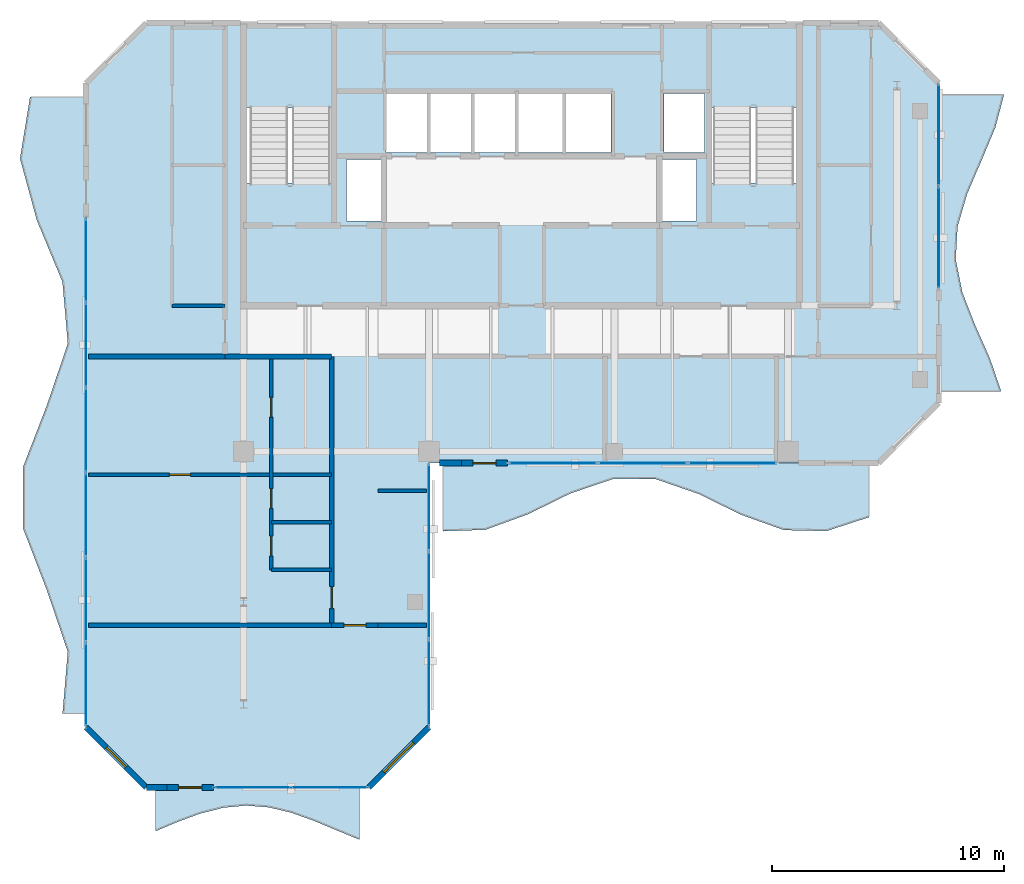
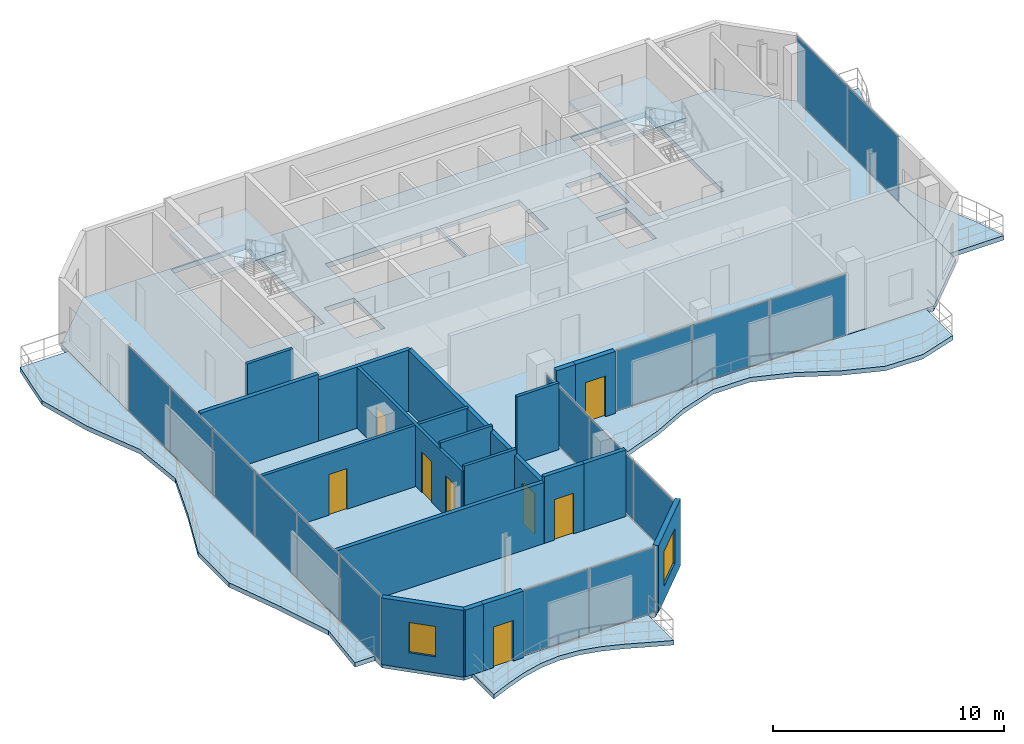
# One storey, part 12 of 17: 18 walls, 16 plates, 8 doors, 7 slabs, 2 windows, 10 openings, 7 elements without a shape of their own.
"""IFC4 building model written with IfcOpenShell, lengths in metres."""

import ifcopenshell
import ifcopenshell.guid

model = None  # the IFC model being written
_history = None  # IfcOwnerHistory: only IFC2X3 demands one
_inside = {}  # id of a spatial element -> (the spatial element, [elements in it])
_under = {}  # id of a project, library or spatial element -> (it, [spatial elements below it])
_declared = {}  # id of a project -> (the project, [libraries it declares])
_typed = {}  # id of a type object -> (the type object, [elements of that type])
_made_of = {}  # id of a material, layer set ... -> (it, [elements and type objects made of it])


def new_model(schema):
    """Start an empty IFC model of exactly this schema.

    Asked for "IFC4X3", IfcOpenShell would pick the latest addendum, in which some entities
    have other attributes; the version numbers below select the first issue.
    IFC2X3 requires an IfcOwnerHistory on every rooted entity: one is made here for all.
    """
    global model, _history
    if schema == "IFC4X3":
        model = ifcopenshell.file(schema_version=(4, 3, 0, 0))
    else:
        model = ifcopenshell.file(schema=schema)
    _inside.clear()
    _under.clear()
    _declared.clear()
    _typed.clear()
    _made_of.clear()
    _history = None
    if model.schema == "IFC2X3":
        org = make("IfcOrganization", Name="unknown")
        user = make(
            "IfcPersonAndOrganization",
            ThePerson=make("IfcPerson", FamilyName="unknown"),
            TheOrganization=org,
        )
        app = make(
            "IfcApplication",
            ApplicationDeveloper=org,
            Version="unknown",
            ApplicationFullName="unknown",
            ApplicationIdentifier="unknown",
        )
        _history = make(
            "IfcOwnerHistory",
            OwningUser=user,
            OwningApplication=app,
            ChangeAction="ADDED",
            CreationDate=0,
        )
    return model


def make(cls, **values):
    """One entity of the class cls with the attributes given. An attribute that is None is left unset."""
    return model.create_entity(
        cls, **{name: value for name, value in values.items() if value is not None}
    )


def rooted(cls, **values):
    """An entity with a GlobalId (a new one), such as an element, a storey or a relation."""
    return make(cls, GlobalId=ifcopenshell.guid.new(), OwnerHistory=_history, **values)


def si_unit(unit_type, name, prefix=None):
    """IfcSIUnit, for example si_unit("LENGTHUNIT", "METRE", prefix="MILLI")."""
    return make("IfcSIUnit", UnitType=unit_type, Prefix=prefix, Name=name)


def assignment(units):
    """IfcUnitAssignment: the units of a project."""
    return None if units is None else make("IfcUnitAssignment", Units=units)


def point(xyz):
    """IfcCartesianPoint."""
    return None if xyz is None else make("IfcCartesianPoint", Coordinates=xyz)


def direction(xyz):
    """IfcDirection."""
    return None if xyz is None else make("IfcDirection", DirectionRatios=xyz)


def frame(location, z_axis=None, x_axis=None):
    """IfcAxis2Placement3D, a coordinate frame: its origin and axes. An axis left out is left unset."""
    return make(
        "IfcAxis2Placement3D",
        Location=point(location),
        Axis=direction(z_axis),
        RefDirection=direction(x_axis),
    )


def frame_2d(location, x_axis=None):
    """IfcAxis2Placement2D, a coordinate frame in the plane: its origin and x axis."""
    return make(
        "IfcAxis2Placement2D", Location=point(location), RefDirection=direction(x_axis)
    )


def origin():
    """The frame at (0, 0, 0) with its axes left unset."""
    return frame((0.0, 0.0, 0.0))


def origin_2d():
    """The frame at (0, 0) in the plane with its x axis left unset."""
    return frame_2d((0.0, 0.0))


def place(relative_to, where):
    """IfcLocalPlacement: puts the frame where relative to a parent placement (None: the world)."""
    return make(
        "IfcLocalPlacement", PlacementRelTo=relative_to, RelativePlacement=where
    )


def context(
    kind, dimensions, precision=None, world=None, true_north=None, identifier=None
):
    """IfcGeometricRepresentationContext, for example the 3D "Model" context."""
    return make(
        "IfcGeometricRepresentationContext",
        ContextIdentifier=identifier,
        ContextType=kind,
        CoordinateSpaceDimension=dimensions,
        Precision=precision,
        WorldCoordinateSystem=world,
        TrueNorth=true_north,
    )


def subcontext(parent, identifier, kind, view, scale=None):
    """IfcGeometricRepresentationSubContext, for example "Body" below "Model"."""
    return make(
        "IfcGeometricRepresentationSubContext",
        ContextIdentifier=identifier,
        ContextType=kind,
        ParentContext=parent,
        TargetScale=scale,
        TargetView=view,
    )


def project(units=None, contexts=None):
    """IfcProject with its units and contexts."""
    return rooted(
        "IfcProject",
        Name="project",
        RepresentationContexts=contexts,
        UnitsInContext=assignment(units),
    )


def spatial(cls, under=None, at=None, **own):
    """A site, building, storey or space (cls), placed at a placement, below another one or the project."""
    s = rooted(cls, ObjectPlacement=at, **own)
    if under is not None:
        _under.setdefault(under.id(), (under, []))[1].append(s)
    return s


def polyline(points):
    """IfcPolyline through the points."""
    return make("IfcPolyline", Points=[point(p) for p in points])


def profile(cls, at=None, kind="AREA", **sizes):
    """A parametric profile (cls). Its sizes go by their IFC names, for example OverallWidth=200.0."""
    return make(cls, ProfileType=kind, Position=at, **sizes)


def rectangle(**sizes):
    """IfcRectangleProfileDef."""
    return profile("IfcRectangleProfileDef", **sizes)


def outline(outer, holes=None, kind="AREA"):
    """IfcArbitraryClosedProfileDef: a profile drawn as a closed curve; with holes, ...WithVoids."""
    if holes is None:
        return make("IfcArbitraryClosedProfileDef", ProfileType=kind, OuterCurve=outer)
    return make(
        "IfcArbitraryProfileDefWithVoids",
        ProfileType=kind,
        OuterCurve=outer,
        InnerCurves=holes,
    )


def extrude(swept, where, along, depth):
    """IfcExtrudedAreaSolid: the profile swept, set in the frame where, extruded along a direction by depth."""
    return make(
        "IfcExtrudedAreaSolid",
        SweptArea=swept,
        Position=where,
        ExtrudedDirection=direction(along),
        Depth=depth,
    )


def shape(context_of_items, identifier, shape_type, items):
    """IfcShapeRepresentation: the items that make up one representation, for example the "Body"."""
    return make(
        "IfcShapeRepresentation",
        ContextOfItems=context_of_items,
        RepresentationIdentifier=identifier,
        RepresentationType=shape_type,
        Items=items,
    )


def material(Name=None, Category=None):
    """IfcMaterial."""
    return make("IfcMaterial", Name=Name, Category=Category)


def layer(
    of_material, thickness, ventilated=None, Name=None, Category=None, Priority=None
):
    """IfcMaterialLayer: one layer of a wall or slab, of a material (None: an air gap)."""
    return make(
        "IfcMaterialLayer",
        Material=of_material,
        LayerThickness=thickness,
        IsVentilated=ventilated,
        Name=Name,
        Category=Category,
        Priority=Priority,
    )


def layer_set(layers, Name=None):
    """IfcMaterialLayerSet."""
    return make("IfcMaterialLayerSet", MaterialLayers=layers, LayerSetName=Name)


def made_of(thing, what):
    """Note that an element or type object is made of a material, layer set ...; save() writes the relation."""
    if what is not None:
        _made_of.setdefault(what.id(), (what, []))[1].append(thing)
    return thing


def type_object(cls, material=None, **own):
    """A type object (cls), such as IfcWallType, which elements share."""
    return made_of(rooted(cls, **own), material)


def element(
    cls,
    number,
    at=None,
    inside=None,
    cuts=None,
    type_object=None,
    material=None,
    context=None,
    identifier="Body",
    shape_type=None,
    held_by="IfcProductDefinitionShape",
    body=None,
    shapes=None,
    **own,
):
    """One element of the class cls, such as IfcWall. Its Tag is "e" and its number.

    at: its placement. inside: the storey or other place that contains it. cuts: it is an
    opening in that element (IfcRelVoidsElement). A single representation is given by context,
    identifier, shape_type and body (its items); several are given by shapes. held_by: the class
    of the entity that holds the representations. save() writes the other relations.
    """
    e = rooted(cls, Tag="e%d" % number, ObjectPlacement=at, **own)
    if body is not None:
        shapes = [shape(context, identifier, shape_type, body)]
    if shapes is not None:
        e.Representation = make(held_by, Representations=shapes)
    if inside is not None:
        _inside.setdefault(inside.id(), (inside, []))[1].append(e)
    if cuts is not None:
        rooted(
            "IfcRelVoidsElement", RelatingBuildingElement=cuts, RelatedOpeningElement=e
        )
    if type_object is not None:
        _typed.setdefault(type_object.id(), (type_object, []))[1].append(e)
    return made_of(e, material)


def fill(opening, filler):
    """IfcRelFillsElement: the door or window that sits in an opening."""
    return rooted(
        "IfcRelFillsElement",
        RelatingOpeningElement=opening,
        RelatedBuildingElement=filler,
    )


def aggregate(whole, parts):
    """IfcRelAggregates: a whole, such as a stair, and the parts it consists of."""
    return rooted("IfcRelAggregates", RelatingObject=whole, RelatedObjects=parts)


def save(model, path):
    """Write the relations noted so far, then the file.

    IfcRelAggregates (storeys below a building ...), IfcRelContainedInSpatialStructure (elements
    in a storey), IfcRelDefinesByType, IfcRelAssociatesMaterial and IfcRelDeclares: one each for
    every whole, place, type object, material and project.
    """
    for whole, parts in _under.values():
        aggregate(whole, parts)
    for where, things in _inside.values():
        rooted(
            "IfcRelContainedInSpatialStructure",
            RelatedElements=things,
            RelatingStructure=where,
        )
    for kind, things in _typed.values():
        rooted("IfcRelDefinesByType", RelatedObjects=things, RelatingType=kind)
    for what, things in _made_of.values():
        rooted("IfcRelAssociatesMaterial", RelatedObjects=things, RelatingMaterial=what)
    for by, libraries in _declared.values():
        rooted("IfcRelDeclares", RelatingContext=by, RelatedDefinitions=libraries)
    model.write(path)


model = new_model("IFC4")

# Units and contexts
model_context = context("Model", 3, precision=1e-05, world=origin(), true_north=direction((0.0, 1.0)))
body_context = subcontext(model_context, "Body", "Model", "MODEL_VIEW")
ifc_project = project(units=[si_unit("LENGTHUNIT", "METRE"), si_unit("AREAUNIT", "SQUARE_METRE"), si_unit("VOLUMEUNIT", "CUBIC_METRE"), si_unit("PLANEANGLEUNIT", "RADIAN"), si_unit("MASSUNIT", "GRAM", prefix="KILO")], contexts=[model_context])

# Site, building, storey
site_placement = place(None, origin())
site = spatial("IfcSite", under=ifc_project, at=site_placement, CompositionType="ELEMENT")
building_placement = place(site_placement, origin())
building = spatial("IfcBuilding", under=site, at=building_placement, Name="Catumbela Crestline Tower", CompositionType="ELEMENT")
storey_placement = place(building_placement, frame((0.0, 0.0, 283.0)))
storey = spatial("IfcBuildingStorey", under=building, at=storey_placement, Name="L73", CompositionType="ELEMENT", Elevation=283.0)

# Curtain wall, plates
ifc_material_1 = material(Name="Aluminium alloy AW-6060-T66", Category="aluminium")
ifc_layer_1 = layer(ifc_material_1, 0.18, Name="Aluminium alloy AW-6060-T66")
ifc_layer_set_1 = layer_set([ifc_layer_1], Name="Aluminium alloy AW-6060-T66")
curtain_wall_type = type_object("IfcCurtainWallType", Name="CWU-Z4", PredefinedType="USERDEFINED", material=ifc_layer_set_1)
curtain_wall_1_placement = place(storey_placement, origin())
curtain_wall_1 = element("IfcCurtainWall", 1, at=curtain_wall_1_placement, inside=storey, type_object=curtain_wall_type, Name="L73 Unitised Curtain Wall CW-L73-E0S2", ObjectType="UNITISED", PredefinedType="USERDEFINED")
ifc_material_2 = material(Name="Low-E laminated solar-control double glazing", Category="glass")
ifc_layer_2 = layer(ifc_material_2, 0.036, Name="Low-E laminated solar-control double glazing")
ifc_layer_set_2 = layer_set([ifc_layer_2], Name="Low-E laminated solar-control double glazing")
plate_type = type_object("IfcPlateType", Name="PNL-GLZ-Z4", PredefinedType="CURTAIN_PANEL", material=ifc_layer_set_2)
plate_1_placement = place(storey_placement, frame((16.3912, 10.0, 0.06), z_axis=(0.0, 0.0, 1.0), x_axis=(1.0, 0.0, 0.0)))
plate_1 = element("IfcPlate", 2, at=plate_1_placement, type_object=plate_type, Name="CWU-Z4 panel 1.1", PredefinedType="CURTAIN_PANEL", context=body_context, shape_type="SweptSolid", body=[
    extrude(rectangle(XDim=3.2525, YDim=0.034, at=origin_2d()), origin(), (0.0, 0.0, 1.0), 3.41),
])
plate_2_placement = place(storey_placement, frame((19.7087, 10.0, 0.06), z_axis=(0.0, 0.0, 1.0), x_axis=(1.0, 0.0, 0.0)))
plate_2 = element("IfcPlate", 3, at=plate_2_placement, type_object=plate_type, Name="CWU-Z4 panel 2.1", PredefinedType="CURTAIN_PANEL", context=body_context, shape_type="SweptSolid", body=[
    extrude(rectangle(XDim=3.2525, YDim=0.034, at=origin_2d()), origin(), (0.0, 0.0, 1.0), 3.41),
])
aggregate(curtain_wall_1, [plate_1, plate_2])

curtain_wall_2_placement = place(storey_placement, origin())
curtain_wall_2 = element("IfcCurtainWall", 4, at=curtain_wall_2_placement, inside=storey, type_object=curtain_wall_type, Name="L73 Unitised Curtain Wall CW-L73-E2S1", ObjectType="UNITISED", PredefinedType="USERDEFINED")
plate_3_placement = place(storey_placement, frame((24.0, 14.5162, 0.06), z_axis=(0.0, 0.0, 1.0), x_axis=(0.0, 1.0, 0.0)))
plate_3 = element("IfcPlate", 5, at=plate_3_placement, type_object=plate_type, Name="CWU-Z4 panel 1.1", PredefinedType="CURTAIN_PANEL", context=body_context, shape_type="SweptSolid", body=[
    extrude(rectangle(XDim=3.7025, YDim=0.034, at=origin_2d()), origin(), (0.0, 0.0, 1.0), 3.12),
])
plate_4_placement = place(storey_placement, frame((24.0, 18.3, 0.06), z_axis=(0.0, 0.0, 1.0), x_axis=(0.0, 1.0, 0.0)))
plate_4 = element("IfcPlate", 6, at=plate_4_placement, type_object=plate_type, Name="CWU-Z4 panel 2.1", PredefinedType="CURTAIN_PANEL", context=body_context, shape_type="SweptSolid", body=[
    extrude(rectangle(XDim=3.735, YDim=0.034, at=origin_2d()), origin(), (0.0, 0.0, 1.0), 3.12),
])
plate_5_placement = place(storey_placement, frame((24.0, 22.0837, 0.06), z_axis=(0.0, 0.0, 1.0), x_axis=(0.0, 1.0, 0.0)))
plate_5 = element("IfcPlate", 7, at=plate_5_placement, type_object=plate_type, Name="CWU-Z4 panel 3.1", PredefinedType="CURTAIN_PANEL", context=body_context, shape_type="SweptSolid", body=[
    extrude(rectangle(XDim=3.7025, YDim=0.034, at=origin_2d()), origin(), (0.0, 0.0, 1.0), 3.12),
])
aggregate(curtain_wall_2, [plate_3, plate_4, plate_5])

curtain_wall_3_placement = place(storey_placement, origin())
curtain_wall_3 = element("IfcCurtainWall", 8, at=curtain_wall_3_placement, inside=storey, type_object=curtain_wall_type, Name="L73 Unitised Curtain Wall CW-L73-E3S2", ObjectType="UNITISED", PredefinedType="USERDEFINED")
plate_6_placement = place(storey_placement, frame((29.3579, 24.0, 0.06), z_axis=(0.0, 0.0, 1.0), x_axis=(1.0, 0.0, 0.0)))
plate_6 = element("IfcPlate", 9, at=plate_6_placement, type_object=plate_type, Name="CWU-Z4 panel 1.1", PredefinedType="CURTAIN_PANEL", context=body_context, shape_type="SweptSolid", body=[
    extrude(rectangle(XDim=3.7858, YDim=0.034, at=origin_2d()), origin(), (0.0, 0.0, 1.0), 3.16),
])
plate_7_placement = place(storey_placement, frame((33.225, 24.0, 0.06), z_axis=(0.0, 0.0, 1.0), x_axis=(1.0, 0.0, 0.0)))
plate_7 = element("IfcPlate", 10, at=plate_7_placement, type_object=plate_type, Name="CWU-Z4 panel 2.1", PredefinedType="CURTAIN_PANEL", context=body_context, shape_type="SweptSolid", body=[
    extrude(rectangle(XDim=3.8183, YDim=0.034, at=origin_2d()), origin(), (0.0, 0.0, 1.0), 3.16),
])
plate_8_placement = place(storey_placement, frame((37.0921, 24.0, 0.06), z_axis=(0.0, 0.0, 1.0), x_axis=(1.0, 0.0, 0.0)))
plate_8 = element("IfcPlate", 11, at=plate_8_placement, type_object=plate_type, Name="CWU-Z4 panel 3.1", PredefinedType="CURTAIN_PANEL", context=body_context, shape_type="SweptSolid", body=[
    extrude(rectangle(XDim=3.7858, YDim=0.034, at=origin_2d()), origin(), (0.0, 0.0, 1.0), 3.16),
])
aggregate(curtain_wall_3, [plate_6, plate_7, plate_8])

curtain_wall_4_placement = place(storey_placement, origin())
curtain_wall_4 = element("IfcCurtainWall", 12, at=curtain_wall_4_placement, inside=storey, type_object=curtain_wall_type, Name="L73 Unitised Curtain Wall CW-L73-E5S2", ObjectType="UNITISED", PredefinedType="USERDEFINED")
plate_9_placement = place(storey_placement, frame((46.0, 33.7412, 0.06), z_axis=(0.0, 0.0, 1.0), x_axis=(0.0, 1.0, 0.0)))
plate_9 = element("IfcPlate", 13, at=plate_9_placement, type_object=plate_type, Name="CWU-Z4 panel 1.1", PredefinedType="CURTAIN_PANEL", context=body_context, shape_type="SweptSolid", body=[
    extrude(rectangle(XDim=4.3525, YDim=0.034, at=origin_2d()), origin(), (0.0, 0.0, 1.0), 3.41),
])
plate_10_placement = place(storey_placement, frame((46.0, 38.1588, 0.06), z_axis=(0.0, 0.0, 1.0), x_axis=(0.0, 1.0, 0.0)))
plate_10 = element("IfcPlate", 14, at=plate_10_placement, type_object=plate_type, Name="CWU-Z4 panel 2.1", PredefinedType="CURTAIN_PANEL", context=body_context, shape_type="SweptSolid", body=[
    extrude(rectangle(XDim=4.3525, YDim=0.034, at=origin_2d()), origin(), (0.0, 0.0, 1.0), 3.41),
])
aggregate(curtain_wall_4, [plate_9, plate_10])

curtain_wall_5_placement = place(storey_placement, origin())
curtain_wall_5 = element("IfcCurtainWall", 15, at=curtain_wall_5_placement, inside=storey, type_object=curtain_wall_type, Name="L73 Unitised Curtain Wall CW-L73-E9S2", ObjectType="UNITISED", PredefinedType="USERDEFINED")
plate_11_placement = place(storey_placement, frame((9.2, 32.7504, 0.06), z_axis=(0.0, 0.0, 1.0), x_axis=(0.0, -1.0, 0.0)))
plate_11 = element("IfcPlate", 16, at=plate_11_placement, type_object=plate_type, Name="CWU-Z4 panel 1.1", PredefinedType="CURTAIN_PANEL", context=body_context, shape_type="SweptSolid", body=[
    extrude(rectangle(XDim=3.5692, YDim=0.034, at=origin_2d()), origin(), (0.0, 0.0, 1.0), 3.41),
])
plate_12_placement = place(storey_placement, frame((9.2, 29.1, 0.06), z_axis=(0.0, 0.0, 1.0), x_axis=(0.0, -1.0, 0.0)))
plate_12 = element("IfcPlate", 17, at=plate_12_placement, type_object=plate_type, Name="CWU-Z4 panel 2.1", PredefinedType="CURTAIN_PANEL", context=body_context, shape_type="SweptSolid", body=[
    extrude(rectangle(XDim=3.6017, YDim=0.034, at=origin_2d()), origin(), (0.0, 0.0, 1.0), 3.41),
])
plate_13_placement = place(storey_placement, frame((9.2, 25.4333, 0.06), z_axis=(0.0, 0.0, 1.0), x_axis=(0.0, -1.0, 0.0)))
plate_13 = element("IfcPlate", 18, at=plate_13_placement, type_object=plate_type, Name="CWU-Z4 panel 3.1", PredefinedType="CURTAIN_PANEL", context=body_context, shape_type="SweptSolid", body=[
    extrude(rectangle(XDim=3.6017, YDim=0.034, at=origin_2d()), origin(), (0.0, 0.0, 1.0), 3.41),
])
plate_14_placement = place(storey_placement, frame((9.2, 21.7667, 0.06), z_axis=(0.0, 0.0, 1.0), x_axis=(0.0, -1.0, 0.0)))
plate_14 = element("IfcPlate", 19, at=plate_14_placement, type_object=plate_type, Name="CWU-Z4 panel 4.1", PredefinedType="CURTAIN_PANEL", context=body_context, shape_type="SweptSolid", body=[
    extrude(rectangle(XDim=3.6017, YDim=0.034, at=origin_2d()), origin(), (0.0, 0.0, 1.0), 3.41),
])
plate_15_placement = place(storey_placement, frame((9.2, 18.1, 0.06), z_axis=(0.0, 0.0, 1.0), x_axis=(0.0, -1.0, 0.0)))
plate_15 = element("IfcPlate", 20, at=plate_15_placement, type_object=plate_type, Name="CWU-Z4 panel 5.1", PredefinedType="CURTAIN_PANEL", context=body_context, shape_type="SweptSolid", body=[
    extrude(rectangle(XDim=3.6017, YDim=0.034, at=origin_2d()), origin(), (0.0, 0.0, 1.0), 3.41),
])
plate_16_placement = place(storey_placement, frame((9.2, 14.4496, 0.06), z_axis=(0.0, 0.0, 1.0), x_axis=(0.0, -1.0, 0.0)))
plate_16 = element("IfcPlate", 21, at=plate_16_placement, type_object=plate_type, Name="CWU-Z4 panel 6.1", PredefinedType="CURTAIN_PANEL", context=body_context, shape_type="SweptSolid", body=[
    extrude(rectangle(XDim=3.5692, YDim=0.034, at=origin_2d()), origin(), (0.0, 0.0, 1.0), 3.41),
])
aggregate(curtain_wall_5, [plate_11, plate_12, plate_13, plate_14, plate_15, plate_16])

# Stair, slab
ifc_material_3 = material(Name="Concrete C45/55", Category="concrete")
stair_type = type_object("IfcStairType", Name="ST-DLG", PredefinedType="HALF_TURN_STAIR", material=ifc_material_3)
stair_1_placement = place(storey_placement, origin())
stair_1 = element("IfcStair", 22, at=stair_1_placement, inside=storey, type_object=stair_type, Name="L73 West Core Pressurised Exit Stair ST-01", PredefinedType="HALF_TURN_STAIR")
ifc_layer_3 = layer(ifc_material_3, 0.2, Name="Concrete C45/55")
ifc_layer_set_3 = layer_set([ifc_layer_3], Name="Concrete C45/55")
slab_type_1 = type_object("IfcSlabType", Name="SL-LND", PredefinedType="LANDING", material=ifc_layer_set_3)
slab_1_placement = place(storey_placement, frame((0.0, 0.0, 1.7)))
slab_1 = element("IfcSlab", 23, at=slab_1_placement, type_object=slab_type_1, Name="ST-01 landing 1", PredefinedType="LANDING", context=body_context, shape_type="SweptSolid", body=[
    extrude(outline(polyline([(19.91, 39.33), (19.91, 42.96), (16.09, 42.96), (16.09, 39.33), (19.91, 39.33)])), origin(), (0.0, 0.0, 1.0), 0.2),
])
aggregate(stair_1, [slab_1])

stair_2_placement = place(storey_placement, origin())
stair_2 = element("IfcStair", 24, at=stair_2_placement, inside=storey, type_object=stair_type, Name="L73 East Core Pressurised Exit Stair ST-02", PredefinedType="HALF_TURN_STAIR")
slab_2_placement = place(storey_placement, frame((0.0, 0.0, 1.7)))
slab_2 = element("IfcSlab", 25, at=slab_2_placement, type_object=slab_type_1, Name="ST-02 landing 1", PredefinedType="LANDING", context=body_context, shape_type="SweptSolid", body=[
    extrude(outline(polyline([(39.91, 39.33), (39.91, 42.96), (36.09, 42.96), (36.09, 39.33), (39.91, 39.33)])), origin(), (0.0, 0.0, 1.0), 0.2),
])
aggregate(stair_2, [slab_2])

# Slabs
ifc_layer_4 = layer(ifc_material_3, 0.26, Name="Concrete C45/55")
ifc_layer_set_4 = layer_set([ifc_layer_4], Name="Concrete C45/55")
slab_type_2 = type_object("IfcSlabType", Name="SL-260", PredefinedType="FLOOR", material=ifc_layer_set_4)
slab_3_placement = place(storey_placement, frame((0.0, 0.0, -0.26)))
element("IfcSlab", 26, at=slab_3_placement, inside=storey, type_object=slab_type_2, Name="L73 Structural Floor Slab", PredefinedType="FLOOR", context=body_context, shape_type="SweptSolid", body=[
    extrude(outline(polyline([(11.8, 10.0), (21.4, 10.0), (24.0, 12.6), (24.0, 24.0), (43.4, 24.0), (46.0, 26.6), (46.0, 40.4), (43.4, 43.0), (11.8, 43.0), (9.2, 40.4), (9.2, 12.6), (11.8, 10.0)]), holes=[polyline([(16.13, 36.08), (19.87, 36.08), (19.87, 42.92), (16.13, 42.92), (16.13, 36.08)]), polyline([(36.13, 36.08), (39.87, 36.08), (39.87, 42.92), (36.13, 42.92), (36.13, 36.08)]), polyline([(22.15, 37.4), (27.75, 37.4), (27.75, 39.95), (22.15, 39.95), (22.15, 37.4)]), polyline([(27.85, 37.4), (31.85, 37.4), (31.85, 39.95), (27.85, 39.95), (27.85, 37.4)]), polyline([(20.45, 34.45), (21.95, 34.45), (21.95, 37.1), (20.45, 37.1), (20.45, 34.45)]), polyline([(34.05, 34.45), (35.55, 34.45), (35.55, 37.1), (34.05, 37.1), (34.05, 34.45)]), polyline([(34.15, 37.4), (35.9, 37.4), (35.9, 39.95), (34.15, 39.95), (34.15, 37.4)])]), origin(), (0.0, 0.0, 1.0), 0.26),
])
ifc_layer_5 = layer(ifc_material_3, 0.24, Name="Concrete C45/55")
ifc_layer_set_5 = layer_set([ifc_layer_5], Name="Concrete C45/55")
slab_type_3 = type_object("IfcSlabType", Name="SB-240W", PredefinedType="USERDEFINED", material=ifc_layer_set_5)
slab_4_placement = place(storey_placement, frame((0.0, 0.0, -0.24)))
element("IfcSlab", 27, at=slab_4_placement, inside=storey, type_object=slab_type_3, Name="L73 Cantilevered Wave Balcony Slab SPINE-S", ObjectType="BALCONY", PredefinedType="USERDEFINED", context=body_context, shape_type="SweptSolid", body=[
    extrude(outline(polyline([(24.6, 21.0587), (26.44, 21.1229), (28.28, 21.7959), (30.12, 22.6973), (31.96, 23.3176), (33.8, 23.3062), (35.64, 22.6696), (37.48, 21.7676), (39.32, 21.11), (41.16, 21.0684), (43.0, 21.6664), (43.0, 23.99), (24.6, 23.99), (24.6, 21.0587)])), origin(), (0.0, 0.0, 1.0), 0.24),
])
slab_5_placement = place(storey_placement, frame((0.0, 0.0, -0.24)))
element("IfcSlab", 28, at=slab_5_placement, inside=storey, type_object=slab_type_3, Name="L73 Cantilevered Wave Balcony Slab SPINE-E", ObjectType="BALCONY", PredefinedType="USERDEFINED", context=body_context, shape_type="SweptSolid", body=[
    extrude(outline(polyline([(46.01, 27.1), (48.6999, 27.1), (48.2098, 28.5222), (47.5785, 29.9444), (47.0236, 31.3667), (46.7361, 32.7889), (46.8152, 34.2111), (47.2336, 35.6333), (47.8471, 37.0556), (48.4444, 38.4778), (48.8197, 39.9), (46.01, 39.9), (46.01, 27.1)])), origin(), (0.0, 0.0, 1.0), 0.24),
])
slab_6_placement = place(storey_placement, frame((0.0, 0.0, -0.24)))
element("IfcSlab", 29, at=slab_6_placement, inside=storey, type_object=slab_type_3, Name="L73 Cantilevered Wave Balcony Slab WING-S", ObjectType="BALCONY", PredefinedType="USERDEFINED", context=body_context, shape_type="SweptSolid", body=[
    extrude(outline(polyline([(12.2, 8.1134), (13.1778, 8.5253), (14.1556, 8.8834), (15.1333, 9.1284), (16.1111, 9.2198), (17.0889, 9.1426), (18.0667, 8.9094), (19.0444, 8.5589), (20.0222, 8.149), (21.0, 7.7476), (21.0, 9.99), (12.2, 9.99), (12.2, 8.1134)])), origin(), (0.0, 0.0, 1.0), 0.24),
])
slab_7_placement = place(storey_placement, frame((0.0, 0.0, -0.24)))
element("IfcSlab", 30, at=slab_7_placement, inside=storey, type_object=slab_type_3, Name="L73 Cantilevered Wave Balcony Slab WEST", ObjectType="BALCONY", PredefinedType="USERDEFINED", context=body_context, shape_type="SweptSolid", body=[
    extrude(outline(polyline([(9.19, 39.8), (6.7821, 39.8), (6.35, 37.14), (7.0767, 34.48), (8.1824, 31.82), (8.4132, 29.16), (7.511, 26.5), (6.4847, 23.84), (6.4819, 21.18), (7.5058, 18.52), (8.4114, 15.86), (8.186, 13.2), (9.19, 13.2), (9.19, 39.8)])), origin(), (0.0, 0.0, 1.0), 0.24),
])

# Wall
ifc_material_4 = material(Name="Acoustic gypsum and mineral-wool partition")
ifc_layer_6 = layer(ifc_material_4, 0.2, Name="Acoustic gypsum and mineral-wool partition")
ifc_layer_set_6 = layer_set([ifc_layer_6], Name="Acoustic gypsum and mineral-wool partition")
wall_type_1 = type_object("IfcWallType", Name="WC-200", PredefinedType="PARTITIONING", material=ifc_layer_set_6)
wall_1_placement = place(storey_placement, frame((15.2, 28.6, 0.0), z_axis=(0.0, 0.0, 1.0), x_axis=(1.0, 0.0, 0.0)))
element("IfcWall", 31, at=wall_1_placement, inside=storey, type_object=wall_type_1, Name="L73 Interior Partition PW-L73-RCWL", PredefinedType="PARTITIONING", context=body_context, shape_type="SweptSolid", body=[
    extrude(rectangle(XDim=4.6, YDim=0.2, at=frame_2d((2.3, 0.0))), origin(), (0.0, 0.0, 1.0), 3.24),
])

# Wall, opening, door
wall_2_placement = place(storey_placement, frame((19.8, 17.0, 0.0), z_axis=(0.0, 0.0, 1.0), x_axis=(0.0, 1.0, 0.0)))
wall_2 = element("IfcWall", 32, at=wall_2_placement, inside=storey, type_object=wall_type_1, Name="L73 Interior Partition PW-L73-WL1-ENT", PredefinedType="PARTITIONING", context=body_context, shape_type="SweptSolid", body=[
    extrude(rectangle(XDim=11.6, YDim=0.2, at=frame_2d((5.8, 0.0))), origin(), (0.0, 0.0, 1.0), 3.24),
])
opening_1_placement = place(wall_2_placement, frame((0.723, 0.0, 0.0)))
opening_1 = element("IfcOpeningElement", 33, at=opening_1_placement, cuts=wall_2, Name="Opening DF6-095", PredefinedType="OPENING", context=body_context, shape_type="SweptSolid", body=[
    extrude(rectangle(XDim=0.95, YDim=2.15, at=frame_2d((0.475, 1.075))), frame((0.0, 0.11, 0.0), z_axis=(0.0, -1.0, 0.0), x_axis=(1.0, 0.0, 0.0)), (0.0, 0.0, 1.0), 0.22),
])
door_type_1 = type_object("IfcDoorType", Name="DF6-095", OperationType="NOTDEFINED", PredefinedType="DOOR", material=ifc_material_1)
door_1_placement = place(opening_1_placement, origin())
door_1 = element("IfcDoor", 34, at=door_1_placement, inside=storey, type_object=door_type_1, Name="L73 Interior Door DR-L73-WL1-ENT", OperationType="SINGLE_SWING_LEFT", OverallHeight=2.15, OverallWidth=0.95, PredefinedType="DOOR", context=body_context, shape_type="SweptSolid", body=[
    extrude(rectangle(XDim=0.95, YDim=2.15, at=frame_2d((0.475, 1.075))), frame((0.0, 0.025, 0.0), z_axis=(0.0, -1.0, 0.0), x_axis=(1.0, 0.0, 0.0)), (0.0, 0.0, 1.0), 0.05),
])
fill(opening_1, door_1)

wall_3_placement = place(storey_placement, frame((19.8, 17.0, 0.0), z_axis=(0.0, 0.0, 1.0), x_axis=(1.0, 0.0, 0.0)))
wall_3 = element("IfcWall", 35, at=wall_3_placement, inside=storey, type_object=wall_type_1, Name="L73 Interior Partition PW-L73-SH1-ENT", PredefinedType="PARTITIONING", context=body_context, shape_type="SweptSolid", body=[
    extrude(rectangle(XDim=2.0, YDim=0.2, at=frame_2d((1.0, 0.0))), origin(), (0.0, 0.0, 1.0), 3.53),
])
opening_2_placement = place(wall_3_placement, frame((0.525, 0.0, 0.0)))
opening_2 = element("IfcOpeningElement", 36, at=opening_2_placement, cuts=wall_3, Name="Opening DF6-095", PredefinedType="OPENING", context=body_context, shape_type="SweptSolid", body=[
    extrude(rectangle(XDim=0.95, YDim=2.15, at=frame_2d((0.475, 1.075))), frame((0.0, 0.11, 0.0), z_axis=(0.0, -1.0, 0.0), x_axis=(1.0, 0.0, 0.0)), (0.0, 0.0, 1.0), 0.22),
])
door_2_placement = place(opening_2_placement, origin())
door_2 = element("IfcDoor", 37, at=door_2_placement, inside=storey, type_object=door_type_1, Name="L73 Interior Door DR-L73-SH1-ENT", OperationType="SINGLE_SWING_LEFT", OverallHeight=2.15, OverallWidth=0.95, PredefinedType="DOOR", context=body_context, shape_type="SweptSolid", body=[
    extrude(rectangle(XDim=0.95, YDim=2.15, at=frame_2d((0.475, 1.075))), frame((0.0, 0.025, 0.0), z_axis=(0.0, -1.0, 0.0), x_axis=(1.0, 0.0, 0.0)), (0.0, 0.0, 1.0), 0.05),
])
fill(opening_2, door_2)

ifc_material_5 = material(Name="Angolan grey-ochre granite", Category="masonry")
ifc_layer_7 = layer(ifc_material_5, 0.25, Name="Angolan grey-ochre granite")
ifc_layer_set_7 = layer_set([ifc_layer_7], Name="Angolan grey-ochre granite")
wall_type_2 = type_object("IfcWallType", Name="WE-250", PredefinedType="STANDARD", material=ifc_layer_set_7)
wall_4_placement = place(storey_placement, frame((12.7, 10.0, 0.0), z_axis=(0.0, 0.0, 1.0), x_axis=(1.0, 0.0, 0.0)))
wall_4 = element("IfcWall", 38, at=wall_4_placement, inside=storey, type_object=wall_type_2, Name="L73 Exterior Threshold Portal Wall DR-L73-WBAL-3", PredefinedType="STANDARD", context=body_context, shape_type="SweptSolid", body=[
    extrude(rectangle(XDim=2.0, YDim=0.25, at=frame_2d((1.0, 0.0))), origin(), (0.0, 0.0, 1.0), 3.53),
])
opening_3_placement = place(wall_4_placement, frame((0.5, 0.0, 0.0)))
opening_3 = element("IfcOpeningElement", 39, at=opening_3_placement, cuts=wall_4, Name="Opening DB-L73-3", PredefinedType="OPENING", context=body_context, shape_type="SweptSolid", body=[
    extrude(rectangle(XDim=1.0, YDim=2.15, at=frame_2d((0.5, 1.075))), frame((0.0, 0.135, 0.0), z_axis=(0.0, -1.0, 0.0), x_axis=(1.0, 0.0, 0.0)), (0.0, 0.0, 1.0), 0.27),
])
door_type_2 = type_object("IfcDoorType", Name="DB-1000", OperationType="NOTDEFINED", PredefinedType="DOOR", material=ifc_material_1)
door_3_placement = place(opening_3_placement, origin())
door_3 = element("IfcDoor", 40, at=door_3_placement, inside=storey, type_object=door_type_2, Name="L73 Wave Balcony Terrace Door 3", OperationType="SINGLE_SWING_LEFT", OverallHeight=2.15, OverallWidth=1.0, PredefinedType="DOOR", context=body_context, shape_type="SweptSolid", body=[
    extrude(rectangle(XDim=1.0, YDim=2.15, at=frame_2d((0.5, 1.075))), frame((0.0, 0.025, 0.0), z_axis=(0.0, -1.0, 0.0), x_axis=(1.0, 0.0, 0.0)), (0.0, 0.0, 1.0), 0.05),
])
fill(opening_3, door_3)

# Wall
wall_5_placement = place(storey_placement, frame((11.8, 10.0, 0.0), z_axis=(0.0, 0.0, 1.0), x_axis=(1.0, 0.0, 0.0)))
element("IfcWall", 41, at=wall_5_placement, inside=storey, type_object=wall_type_2, Name="L73 Granite Punched Window Wall 0-1", PredefinedType="STANDARD", context=body_context, shape_type="SweptSolid", body=[
    extrude(rectangle(XDim=0.9, YDim=0.25, at=frame_2d((0.45, 0.0))), origin(), (0.0, 0.0, 1.0), 3.53),
])

# Wall, opening, window
wall_6_placement = place(storey_placement, frame((21.4, 10.0, 0.0), z_axis=(0.0, 0.0, 1.0), x_axis=(0.707106781187, 0.707106781187, 0.0)))
wall_6 = element("IfcWall", 42, at=wall_6_placement, inside=storey, type_object=wall_type_2, Name="L73 Granite Punched Window Wall 1-1", PredefinedType="STANDARD", context=body_context, shape_type="SweptSolid", body=[
    extrude(rectangle(XDim=3.677, YDim=0.25, at=frame_2d((1.8385, 0.0))), origin(), (0.0, 0.0, 1.0), 3.53),
])
opening_4_placement = place(wall_6_placement, frame((0.9385, 0.0, 0.75)))
opening_4 = element("IfcOpeningElement", 43, at=opening_4_placement, cuts=wall_6, Name="Opening WN-01", PredefinedType="OPENING", context=body_context, shape_type="SweptSolid", body=[
    extrude(rectangle(XDim=1.8, YDim=1.85, at=frame_2d((0.9, 0.925))), frame((0.0, 0.135, 0.0), z_axis=(0.0, -1.0, 0.0), x_axis=(1.0, 0.0, 0.0)), (0.0, 0.0, 1.0), 0.27),
])
window_type_1 = type_object("IfcWindowType", Name="WF-1800", PartitioningType="SINGLE_PANEL", PredefinedType="WINDOW", material=ifc_material_2)
window_1_placement = place(opening_4_placement, origin())
window_1 = element("IfcWindow", 44, at=window_1_placement, inside=storey, type_object=window_type_1, Name="L73 Facade Vision Window 591", OverallHeight=1.85, OverallWidth=1.8, PartitioningType="SINGLE_PANEL", PredefinedType="WINDOW", context=body_context, shape_type="SweptSolid", body=[
    extrude(rectangle(XDim=1.8, YDim=1.85, at=frame_2d((0.9, 0.925))), frame((0.0, 0.03, 0.0), z_axis=(0.0, -1.0, 0.0), x_axis=(1.0, 0.0, 0.0)), (0.0, 0.0, 1.0), 0.06),
])
fill(opening_4, window_1)

# Wall, opening, door
wall_7_placement = place(storey_placement, frame((25.4, 24.0, 0.0), z_axis=(0.0, 0.0, 1.0), x_axis=(1.0, 0.0, 0.0)))
wall_7 = element("IfcWall", 45, at=wall_7_placement, inside=storey, type_object=wall_type_2, Name="L73 Exterior Threshold Portal Wall DR-L73-WBAL-1", PredefinedType="STANDARD", context=body_context, shape_type="SweptSolid", body=[
    extrude(rectangle(XDim=2.0, YDim=0.25, at=frame_2d((1.0, 0.0))), origin(), (0.0, 0.0, 1.0), 3.28),
])
opening_5_placement = place(wall_7_placement, frame((0.5, 0.0, 0.0)))
opening_5 = element("IfcOpeningElement", 46, at=opening_5_placement, cuts=wall_7, Name="Opening DB-L73-1", PredefinedType="OPENING", context=body_context, shape_type="SweptSolid", body=[
    extrude(rectangle(XDim=1.0, YDim=2.15, at=frame_2d((0.5, 1.075))), frame((0.0, 0.135, 0.0), z_axis=(0.0, -1.0, 0.0), x_axis=(1.0, 0.0, 0.0)), (0.0, 0.0, 1.0), 0.27),
])
door_4_placement = place(opening_5_placement, origin())
door_4 = element("IfcDoor", 47, at=door_4_placement, inside=storey, type_object=door_type_2, Name="L73 Wave Balcony Terrace Door 1", OperationType="SINGLE_SWING_LEFT", OverallHeight=2.15, OverallWidth=1.0, PredefinedType="DOOR", context=body_context, shape_type="SweptSolid", body=[
    extrude(rectangle(XDim=1.0, YDim=2.15, at=frame_2d((0.5, 1.075))), frame((0.0, 0.025, 0.0), z_axis=(0.0, -1.0, 0.0), x_axis=(1.0, 0.0, 0.0)), (0.0, 0.0, 1.0), 0.05),
])
fill(opening_5, door_4)

# Wall
wall_8_placement = place(storey_placement, frame((24.45, 24.0, 0.0), z_axis=(0.0, 0.0, 1.0), x_axis=(1.0, 0.0, 0.0)))
element("IfcWall", 48, at=wall_8_placement, inside=storey, type_object=wall_type_2, Name="L73 Granite Punched Window Wall 3-1", PredefinedType="STANDARD", context=body_context, shape_type="SweptSolid", body=[
    extrude(rectangle(XDim=0.95, YDim=0.25, at=frame_2d((0.475, 0.0))), origin(), (0.0, 0.0, 1.0), 3.28),
])

# Wall, opening, window
wall_9_placement = place(storey_placement, frame((9.2, 12.6, 0.0), z_axis=(0.0, 0.0, 1.0), x_axis=(0.707106781187, -0.707106781187, 0.0)))
wall_9 = element("IfcWall", 49, at=wall_9_placement, inside=storey, type_object=wall_type_2, Name="L73 Granite Punched Window Wall 10-1", PredefinedType="STANDARD", context=body_context, shape_type="SweptSolid", body=[
    extrude(rectangle(XDim=3.677, YDim=0.25, at=frame_2d((1.8385, 0.0))), origin(), (0.0, 0.0, 1.0), 3.53),
])
opening_6_placement = place(wall_9_placement, frame((1.2385, 0.0, 0.85)))
opening_6 = element("IfcOpeningElement", 50, at=opening_6_placement, cuts=wall_9, Name="Opening WN-02", PredefinedType="OPENING", context=body_context, shape_type="SweptSolid", body=[
    extrude(rectangle(XDim=1.2, YDim=1.6, at=frame_2d((0.6, 0.8))), frame((0.0, 0.135, 0.0), z_axis=(0.0, -1.0, 0.0), x_axis=(1.0, 0.0, 0.0)), (0.0, 0.0, 1.0), 0.27),
])
window_type_2 = type_object("IfcWindowType", Name="WO-1200", PartitioningType="SINGLE_PANEL", PredefinedType="WINDOW", material=ifc_material_2)
window_2_placement = place(opening_6_placement, origin())
window_2 = element("IfcWindow", 51, at=window_2_placement, inside=storey, type_object=window_type_2, Name="L73 Facade Vision Window 600", OverallHeight=1.6, OverallWidth=1.2, PartitioningType="SINGLE_PANEL", PredefinedType="WINDOW", context=body_context, shape_type="SweptSolid", body=[
    extrude(rectangle(XDim=1.2, YDim=1.6, at=frame_2d((0.6, 0.8))), frame((0.0, 0.03, 0.0), z_axis=(0.0, -1.0, 0.0), x_axis=(1.0, 0.0, 0.0)), (0.0, 0.0, 1.0), 0.06),
])
fill(opening_6, window_2)

# Walls
ifc_layer_8 = layer(ifc_material_4, 0.15, Name="Acoustic gypsum and mineral-wool partition")
ifc_layer_set_8 = layer_set([ifc_layer_8], Name="Acoustic gypsum and mineral-wool partition")
wall_type_3 = type_object("IfcWallType", Name="WP-150", PredefinedType="PARTITIONING", material=ifc_layer_set_8)
wall_10_placement = place(storey_placement, frame((12.92, 30.8, 0.0), z_axis=(0.0, 0.0, 1.0), x_axis=(1.0, 0.0, 0.0)))
element("IfcWall", 52, at=wall_10_placement, inside=storey, type_object=wall_type_3, Name="L73 Interior Partition PW-L73-NW1-KBS", PredefinedType="PARTITIONING", context=body_context, shape_type="SweptSolid", body=[
    extrude(rectangle(XDim=2.28, YDim=0.15, at=frame_2d((1.14, 0.0))), origin(), (0.0, 0.0, 1.0), 3.53),
])
for number, where, z_axis, x_axis, name in (
    (53, (17.2, 19.396, 0.0), (0.0, 0.0, 1.0), (1.0, 0.0, 0.0), "L73 Interior Partition PW-L73-WL1-KBS"),
    (54, (17.2, 21.446, 0.0), (0.0, 0.0, 1.0), (1.0, 0.0, 0.0), "L73 Interior Partition PW-L73-WL1-KBM"),
):
    element("IfcWall", number, at=place(storey_placement, frame(where, z_axis=z_axis, x_axis=x_axis)), inside=storey, type_object=wall_type_3, Name=name, PredefinedType="PARTITIONING", context=body_context, shape_type="SweptSolid", body=[
        extrude(rectangle(XDim=2.6, YDim=0.15, at=frame_2d((1.3, 0.0))), origin(), (0.0, 0.0, 1.0), 3.53),
    ])

# Wall, opening, door
wall_11_placement = place(storey_placement, frame((9.3, 23.496, 0.0), z_axis=(0.0, 0.0, 1.0), x_axis=(1.0, 0.0, 0.0)))
wall_11 = element("IfcWall", 55, at=wall_11_placement, inside=storey, type_object=wall_type_3, Name="L73 Interior Partition PW-L73-WL1-KBN", PredefinedType="PARTITIONING", context=body_context, shape_type="SweptSolid", body=[
    extrude(rectangle(XDim=10.5, YDim=0.15, at=frame_2d((5.25, 0.0))), origin(), (0.0, 0.0, 1.0), 3.24),
])
opening_7_placement = place(wall_11_placement, frame((3.5, 0.0, 0.0)))
opening_7 = element("IfcOpeningElement", 56, at=opening_7_placement, cuts=wall_11, Name="Opening DI-090", PredefinedType="OPENING", context=body_context, shape_type="SweptSolid", body=[
    extrude(rectangle(XDim=0.9, YDim=2.15, at=frame_2d((0.45, 1.075))), frame((0.0, 0.085, 0.0), z_axis=(0.0, -1.0, 0.0), x_axis=(1.0, 0.0, 0.0)), (0.0, 0.0, 1.0), 0.17),
])
door_type_3 = type_object("IfcDoorType", Name="DI-090", OperationType="NOTDEFINED", PredefinedType="DOOR", material=ifc_material_1)
door_5_placement = place(opening_7_placement, origin())
door_5 = element("IfcDoor", 57, at=door_5_placement, inside=storey, type_object=door_type_3, Name="L73 Interior Door DR-L73-WL1-BD1", OperationType="SINGLE_SWING_LEFT", OverallHeight=2.15, OverallWidth=0.9, PredefinedType="DOOR", context=body_context, shape_type="SweptSolid", body=[
    extrude(rectangle(XDim=0.9, YDim=2.15, at=frame_2d((0.45, 1.075))), frame((0.0, 0.025, 0.0), z_axis=(0.0, -1.0, 0.0), x_axis=(1.0, 0.0, 0.0)), (0.0, 0.0, 1.0), 0.05),
])
fill(opening_7, door_5)

# Wall, openings, doors
wall_12_placement = place(storey_placement, frame((17.2, 19.396, 0.0), z_axis=(0.0, 0.0, 1.0), x_axis=(0.0, 1.0, 0.0)))
wall_12 = element("IfcWall", 58, at=wall_12_placement, inside=storey, type_object=wall_type_3, Name="L73 Interior Partition PW-L73-WL1-LK", PredefinedType="PARTITIONING", context=body_context, shape_type="SweptSolid", body=[
    extrude(rectangle(XDim=9.204, YDim=0.15, at=frame_2d((4.602, 0.0))), origin(), (0.0, 0.0, 1.0), 3.24),
])
opening_8_placement = place(wall_12_placement, frame((0.6, 0.0, 0.0)))
opening_8 = element("IfcOpeningElement", 59, at=opening_8_placement, cuts=wall_12, Name="Opening DI-085", PredefinedType="OPENING", context=body_context, shape_type="SweptSolid", body=[
    extrude(rectangle(XDim=0.85, YDim=2.15, at=frame_2d((0.425, 1.075))), frame((0.0, 0.085, 0.0), z_axis=(0.0, -1.0, 0.0), x_axis=(1.0, 0.0, 0.0)), (0.0, 0.0, 1.0), 0.17),
])
opening_9_placement = place(wall_12_placement, frame((2.65, 0.0, 0.0)))
opening_9 = element("IfcOpeningElement", 60, at=opening_9_placement, cuts=wall_12, Name="Opening DI-085", PredefinedType="OPENING", context=body_context, shape_type="SweptSolid", body=[
    extrude(rectangle(XDim=0.85, YDim=2.15, at=frame_2d((0.425, 1.075))), frame((0.0, 0.085, 0.0), z_axis=(0.0, -1.0, 0.0), x_axis=(1.0, 0.0, 0.0)), (0.0, 0.0, 1.0), 0.17),
])
opening_10_placement = place(wall_12_placement, frame((6.5927, 0.0, 0.0)))
opening_10 = element("IfcOpeningElement", 61, at=opening_10_placement, cuts=wall_12, Name="Opening DI-085", PredefinedType="OPENING", context=body_context, shape_type="SweptSolid", body=[
    extrude(rectangle(XDim=0.85, YDim=2.15, at=frame_2d((0.425, 1.075))), frame((0.0, 0.085, 0.0), z_axis=(0.0, -1.0, 0.0), x_axis=(1.0, 0.0, 0.0)), (0.0, 0.0, 1.0), 0.17),
])
door_type_4 = type_object("IfcDoorType", Name="DI-085", OperationType="NOTDEFINED", PredefinedType="DOOR", material=ifc_material_1)
door_6_placement = place(opening_8_placement, origin())
door_6 = element("IfcDoor", 62, at=door_6_placement, inside=storey, type_object=door_type_4, Name="L73 Interior Door DR-L73-WL1-KIT", OperationType="SINGLE_SWING_LEFT", OverallHeight=2.15, OverallWidth=0.85, PredefinedType="DOOR", context=body_context, shape_type="SweptSolid", body=[
    extrude(rectangle(XDim=0.85, YDim=2.15, at=frame_2d((0.425, 1.075))), frame((0.0, 0.025, 0.0), z_axis=(0.0, -1.0, 0.0), x_axis=(1.0, 0.0, 0.0)), (0.0, 0.0, 1.0), 0.05),
])
fill(opening_8, door_6)
door_7_placement = place(opening_9_placement, origin())
door_7 = element("IfcDoor", 63, at=door_7_placement, inside=storey, type_object=door_type_4, Name="L73 Interior Door DR-L73-WL1-BTH", OperationType="SINGLE_SWING_RIGHT", OverallHeight=2.15, OverallWidth=0.85, PredefinedType="DOOR", context=body_context, shape_type="SweptSolid", body=[
    extrude(rectangle(XDim=0.85, YDim=2.15, at=frame_2d((0.425, 1.075))), frame((0.0, 0.025, 0.0), z_axis=(0.0, -1.0, 0.0), x_axis=(1.0, 0.0, 0.0)), (0.0, 0.0, 1.0), 0.05),
])
fill(opening_9, door_7)
door_8_placement = place(opening_10_placement, origin())
door_8 = element("IfcDoor", 64, at=door_8_placement, inside=storey, type_object=door_type_4, Name="L73 Interior Door DR-L73-WL1-WIR", OperationType="SINGLE_SWING_LEFT", OverallHeight=2.15, OverallWidth=0.85, PredefinedType="DOOR", context=body_context, shape_type="SweptSolid", body=[
    extrude(rectangle(XDim=0.85, YDim=2.15, at=frame_2d((0.425, 1.075))), frame((0.0, 0.025, 0.0), z_axis=(0.0, -1.0, 0.0), x_axis=(1.0, 0.0, 0.0)), (0.0, 0.0, 1.0), 0.05),
])
fill(opening_10, door_8)

# Walls
wall_13_placement = place(storey_placement, frame((21.8, 22.8, 0.0), z_axis=(0.0, 0.0, 1.0), x_axis=(1.0, 0.0, 0.0)))
element("IfcWall", 65, at=wall_13_placement, inside=storey, type_object=wall_type_3, Name="L73 Interior Partition PW-L73-RWRP6", PredefinedType="PARTITIONING", context=body_context, shape_type="SweptSolid", body=[
    extrude(rectangle(XDim=2.1, YDim=0.15, at=frame_2d((1.05, 0.0))), origin(), (0.0, 0.0, 1.0), 3.53),
])
ifc_layer_9 = layer(ifc_material_4, 0.2, Name="Acoustic gypsum and mineral-wool partition")
ifc_layer_set_9 = layer_set([ifc_layer_9], Name="Acoustic gypsum and mineral-wool partition")
wall_type_4 = type_object("IfcWallType", Name="WY-200", PredefinedType="PARTITIONING", material=ifc_layer_set_9)
wall_14_placement = place(storey_placement, frame((9.3, 28.6, 0.0), z_axis=(0.0, 0.0, 1.0), x_axis=(1.0, 0.0, 0.0)))
element("IfcWall", 66, at=wall_14_placement, inside=storey, type_object=wall_type_4, Name="L73 Interior Partition PW-L73-RCWNW", PredefinedType="PARTITIONING", context=body_context, shape_type="SweptSolid", body=[
    extrude(rectangle(XDim=5.9, YDim=0.2, at=frame_2d((2.95, 0.0))), origin(), (0.0, 0.0, 1.0), 3.53),
])
wall_15_placement = place(storey_placement, frame((9.3, 17.0, 0.0), z_axis=(0.0, 0.0, 1.0), x_axis=(1.0, 0.0, 0.0)))
element("IfcWall", 67, at=wall_15_placement, inside=storey, type_object=wall_type_4, Name="L73 Interior Partition PW-L73-SH-WL", PredefinedType="PARTITIONING", context=body_context, shape_type="SweptSolid", body=[
    extrude(rectangle(XDim=10.5, YDim=0.2, at=frame_2d((5.25, 0.0))), origin(), (0.0, 0.0, 1.0), 3.24),
])
wall_16_placement = place(storey_placement, frame((21.8, 17.0, 0.0), z_axis=(0.0, 0.0, 1.0), x_axis=(1.0, 0.0, 0.0)))
element("IfcWall", 68, at=wall_16_placement, inside=storey, type_object=wall_type_4, Name="L73 Interior Partition PW-L73-SH-WR", PredefinedType="PARTITIONING", context=body_context, shape_type="SweptSolid", body=[
    extrude(rectangle(XDim=2.1, YDim=0.2, at=frame_2d((1.05, 0.0))), origin(), (0.0, 0.0, 1.0), 3.53),
])

save(model, "model.ifc")
